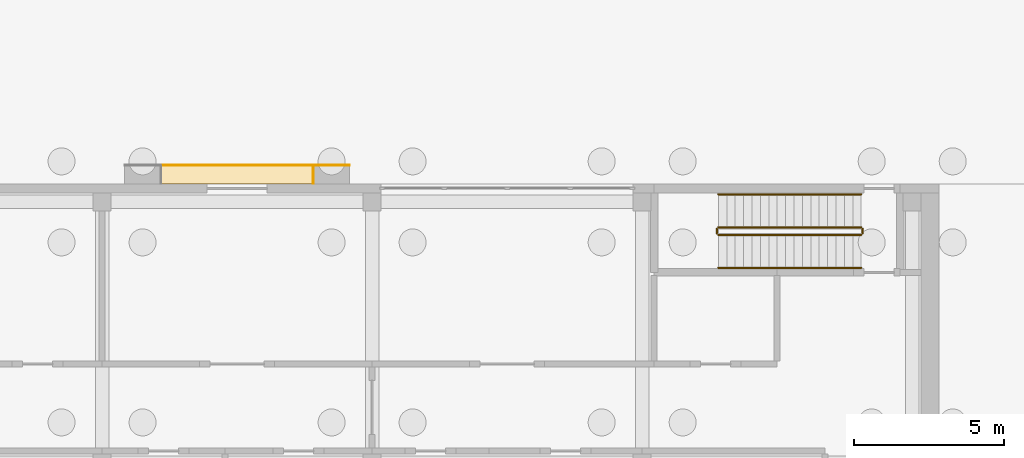
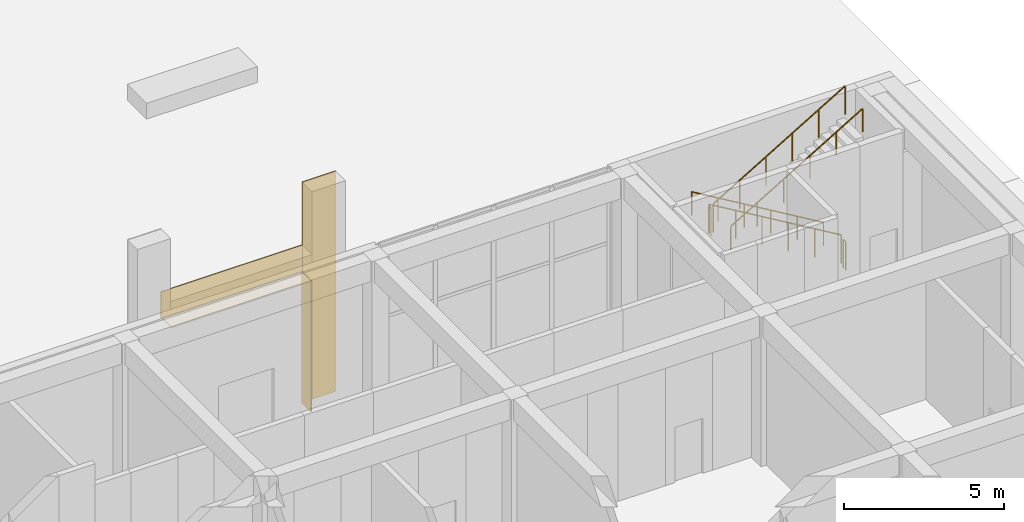
# One storey, part 28 of 31: 6 railings, 4 coverings.
"""IFC4 building model written with IfcOpenShell, lengths in metres."""

from ifc_helpers import new_model, si_unit, direction, frame, origin, origin_2d, place, context, subcontext, project, spatial, rectangle, circle, extrude, material, layer, layer_set, type_object, element, save


model = new_model("IFC4")

# Units and contexts
model_context = context("Model", 3, precision=1e-05, world=origin(), true_north=direction((0.0, 1.0)))
body_context = subcontext(model_context, "Body", "Model", "MODEL_VIEW")
ifc_project = project(units=[si_unit("LENGTHUNIT", "METRE"), si_unit("AREAUNIT", "SQUARE_METRE"), si_unit("VOLUMEUNIT", "CUBIC_METRE"), si_unit("PLANEANGLEUNIT", "RADIAN"), si_unit("MASSUNIT", "GRAM", prefix="KILO")], contexts=[model_context])

# Site, building, storey
site_placement = place(None, origin())
site = spatial("IfcSite", under=ifc_project, at=site_placement, CompositionType="ELEMENT")
building_placement = place(site_placement, origin())
building = spatial("IfcBuilding", under=site, at=building_placement, Name="Girih Gate Residences", CompositionType="ELEMENT")
storey_placement = place(building_placement, origin())
storey = spatial("IfcBuildingStorey", under=building, at=storey_placement, Name="L00", CompositionType="ELEMENT", Elevation=0.0)

# Coverings
ifc_material_1 = material(Name="Glazed ceramic tile")
ifc_layer = layer(ifc_material_1, 0.030029296875)
ifc_layer_set = layer_set([ifc_layer], Name="HC Glazed tile lining")
covering_type = type_object("IfcCoveringType", Name="HC Glazed tile lining", PredefinedType="CLADDING", material=ifc_layer_set)
covering_1_placement = place(storey_placement, frame((70.10009765625, 45.614990234375, 0.0), z_axis=(0.0, 0.0, 1.0), x_axis=(1.0, 0.0, 0.0)))
element("IfcCovering", 1, at=covering_1_placement, inside=storey, type_object=covering_type, Name="Entrance portal glazed tile lining jamb east front", PredefinedType="CLADDING", context=body_context, shape_type="SweptSolid", body=[
    extrude(rectangle(XDim=1.199951171875, YDim=0.030029296875, at=origin_2d()), origin(), (0.0, 0.0, 1.0), 8.39990234375),
])
covering_2_placement = place(storey_placement, frame((69.485107421875, 45.300048828125, 0.0), z_axis=(0.0, 0.0, 1.0), x_axis=(1.0, 0.0, 0.0)))
element("IfcCovering", 2, at=covering_2_placement, inside=storey, type_object=covering_type, Name="Entrance portal glazed tile lining reveal east", PredefinedType="CLADDING", context=body_context, shape_type="SweptSolid", body=[
    extrude(rectangle(XDim=0.030029296875, YDim=0.60009765625, at=origin_2d()), origin(), (0.0, 0.0, 1.0), 5.0),
])
covering_3_placement = place(storey_placement, frame((66.949951171875, 45.300048828125, 4.97021484375), z_axis=(0.0, 0.0, 1.0), x_axis=(1.0, 0.0, 0.0)))
element("IfcCovering", 3, at=covering_3_placement, inside=storey, type_object=covering_type, Name="Entrance portal glazed tile lining soffit", PredefinedType="CLADDING", context=body_context, shape_type="SweptSolid", body=[
    extrude(rectangle(XDim=5.0400390625, YDim=0.60009765625, at=origin_2d()), origin(), (0.0, 0.0, 1.0), 0.030029296875),
])
covering_4_placement = place(storey_placement, frame((66.949951171875, 45.614990234375, 5.0), z_axis=(0.0, 0.0, 1.0), x_axis=(1.0, 0.0, 0.0)))
element("IfcCovering", 4, at=covering_4_placement, inside=storey, type_object=covering_type, Name="Entrance portal glazed tile lining lintel front", PredefinedType="CLADDING", context=body_context, shape_type="SweptSolid", body=[
    extrude(rectangle(XDim=5.10009765625, YDim=0.030029296875, at=origin_2d()), origin(), (0.0, 0.0, 1.0), 1.0),
])

# Railings
ifc_material_2 = material(Name="Stainless steel railing", Category="steel")
railing_type_1 = type_object("IfcRailingType", Name="HC Guard 1100", PredefinedType="GUARDRAIL", material=ifc_material_2)
railing_1_placement = place(storey_placement, frame((87.75, 43.550048828125, 0.166748046875)))
element("IfcRailing", 5, at=railing_1_placement, inside=storey, type_object=railing_type_1, Name="L00 HC-STB stair guard 1", PredefinedType="GUARDRAIL", context=body_context, shape_type="SweptSolid", body=[
    extrude(circle(Radius=0.02392578125, at=origin_2d()), frame((0.0, 0.0, 1.076171875), z_axis=(-0.859299802514, 0.0, 0.511472237174), x_axis=(0.0, -1.0, 0.0)), (0.0, 0.0, 1.0), 5.539306640625),
    extrude(circle(Radius=0.02099609375, at=origin_2d()), origin(), (0.0, 0.0, 1.0), 1.052001953125),
    extrude(circle(Radius=0.02099609375, at=origin_2d()), frame((-0.951904296875, 0.0, 0.566650390625)), (0.0, 0.0, 1.0), 1.052001953125),
    extrude(circle(Radius=0.02099609375, at=origin_2d()), frame((-1.904052734375, 0.0, 1.13330078125)), (0.0, 0.0, 1.0), 1.052001953125),
    extrude(circle(Radius=0.02099609375, at=origin_2d()), frame((-2.85595703125, 0.0, 1.699951171875)), (0.0, 0.0, 1.0), 1.052001953125),
    extrude(circle(Radius=0.02099609375, at=origin_2d()), frame((-3.80810546875, 0.0, 2.2666015625)), (0.0, 0.0, 1.0), 1.052001953125),
    extrude(circle(Radius=0.02099609375, at=origin_2d()), frame((-4.760009765625, 0.0, 2.833251953125)), (0.0, 0.0, 1.0), 1.052001953125),
])
railing_2_placement = place(storey_placement, frame((82.93994140625, 43.5, 3.0)))
element("IfcRailing", 6, at=railing_2_placement, inside=storey, type_object=railing_type_1, Name="L00 HC-STB stair guard 2", PredefinedType="GUARDRAIL", context=body_context, shape_type="SweptSolid", body=[
    extrude(circle(Radius=0.02392578125, at=origin_2d()), frame((0.0, 0.0, 1.076171875), z_axis=(0.0, -1.0, 0.0), x_axis=(1.0, 0.0, 0.0)), (0.0, 0.0, 1.0), 0.14990234375),
    extrude(circle(Radius=0.02099609375, at=origin_2d()), origin(), (0.0, 0.0, 1.0), 1.052001953125),
    extrude(circle(Radius=0.02099609375, at=origin_2d()), frame((0.0, -0.14990234375, 0.0)), (0.0, 0.0, 1.0), 1.052001953125),
])
railing_3_placement = place(storey_placement, frame((82.989990234375, 43.300048828125, 3.166748046875)))
element("IfcRailing", 7, at=railing_3_placement, inside=storey, type_object=railing_type_1, Name="L00 HC-STB stair guard 3", PredefinedType="GUARDRAIL", context=body_context, shape_type="SweptSolid", body=[
    extrude(circle(Radius=0.02392578125, at=origin_2d()), frame((0.0, 0.0, 1.076171875), z_axis=(0.859299802514, 0.0, 0.511472237174), x_axis=(0.0, 1.0, 0.0)), (0.0, 0.0, 1.0), 5.539306640625),
    extrude(circle(Radius=0.02099609375, at=origin_2d()), origin(), (0.0, 0.0, 1.0), 1.052001953125),
    extrude(circle(Radius=0.02099609375, at=origin_2d()), frame((0.951904296875, 0.0, 0.566650390625)), (0.0, 0.0, 1.0), 1.052001953125),
    extrude(circle(Radius=0.02099609375, at=origin_2d()), frame((1.904052734375, 0.0, 1.13330078125)), (0.0, 0.0, 1.0), 1.052001953125),
    extrude(circle(Radius=0.02099609375, at=origin_2d()), frame((2.85595703125, 0.0, 1.699951171875)), (0.0, 0.0, 1.0), 1.052001953125),
    extrude(circle(Radius=0.02099609375, at=origin_2d()), frame((3.80810546875, 0.0, 2.2666015625)), (0.0, 0.0, 1.0), 1.052001953125),
    extrude(circle(Radius=0.02099609375, at=origin_2d()), frame((4.760009765625, 0.0, 2.833251953125)), (0.0, 0.0, 1.0), 1.052001953125),
])
railing_4_placement = place(storey_placement, frame((87.800048828125, 43.5, 0.0)))
element("IfcRailing", 8, at=railing_4_placement, inside=storey, type_object=railing_type_1, Name="L00 HC-STB stair guard 4", PredefinedType="GUARDRAIL", context=body_context, shape_type="SweptSolid", body=[
    extrude(circle(Radius=0.02392578125, at=origin_2d()), frame((0.0, 0.0, 1.076171875), z_axis=(0.0, -1.0, 0.0), x_axis=(1.0, 0.0, 0.0)), (0.0, 0.0, 1.0), 0.14990234375),
    extrude(circle(Radius=0.02099609375, at=origin_2d()), origin(), (0.0, 0.0, 1.0), 1.052001953125),
    extrude(circle(Radius=0.02099609375, at=origin_2d()), frame((0.0, -0.14990234375, 0.0)), (0.0, 0.0, 1.0), 1.052001953125),
])
railing_type_2 = type_object("IfcRailingType", Name="HC Handrail 900", PredefinedType="HANDRAIL", material=ifc_material_2)
railing_5_placement = place(storey_placement, frame((87.75, 44.64990234375, 0.166748046875)))
element("IfcRailing", 9, at=railing_5_placement, inside=storey, type_object=railing_type_2, Name="L00 HC-STB stair handrail 1", PredefinedType="HANDRAIL", context=body_context, shape_type="SweptSolid", body=[
    extrude(circle(Radius=0.02392578125, at=origin_2d()), frame((0.0, 0.0, 0.8857421875), z_axis=(-0.859299802514, 0.0, 0.511472237174), x_axis=(0.0, -1.0, 0.0)), (0.0, 0.0, 1.0), 5.539306640625),
    extrude(circle(Radius=0.02099609375, at=origin_2d()), origin(), (0.0, 0.0, 1.0), 0.86181640625),
    extrude(circle(Radius=0.02099609375, at=origin_2d()), frame((-0.951904296875, 0.0, 0.566650390625)), (0.0, 0.0, 1.0), 0.86181640625),
    extrude(circle(Radius=0.02099609375, at=origin_2d()), frame((-1.904052734375, 0.0, 1.13330078125)), (0.0, 0.0, 1.0), 0.86181640625),
    extrude(circle(Radius=0.02099609375, at=origin_2d()), frame((-2.85595703125, 0.0, 1.699951171875)), (0.0, 0.0, 1.0), 0.86181640625),
    extrude(circle(Radius=0.02099609375, at=origin_2d()), frame((-3.80810546875, 0.0, 2.2666015625)), (0.0, 0.0, 1.0), 0.86181640625),
    extrude(circle(Radius=0.02099609375, at=origin_2d()), frame((-4.760009765625, 0.0, 2.833251953125)), (0.0, 0.0, 1.0), 0.86181640625),
])
railing_6_placement = place(storey_placement, frame((82.989990234375, 42.199951171875, 3.166748046875)))
element("IfcRailing", 10, at=railing_6_placement, inside=storey, type_object=railing_type_2, Name="L00 HC-STB stair handrail 2", PredefinedType="HANDRAIL", context=body_context, shape_type="SweptSolid", body=[
    extrude(circle(Radius=0.02392578125, at=origin_2d()), frame((0.0, 0.0, 0.8857421875), z_axis=(0.859299802514, 0.0, 0.511472237174), x_axis=(0.0, 1.0, 0.0)), (0.0, 0.0, 1.0), 5.539306640625),
    extrude(circle(Radius=0.02099609375, at=origin_2d()), origin(), (0.0, 0.0, 1.0), 0.86181640625),
    extrude(circle(Radius=0.02099609375, at=origin_2d()), frame((0.951904296875, 0.0, 0.566650390625)), (0.0, 0.0, 1.0), 0.86181640625),
    extrude(circle(Radius=0.02099609375, at=origin_2d()), frame((1.904052734375, 0.0, 1.13330078125)), (0.0, 0.0, 1.0), 0.86181640625),
    extrude(circle(Radius=0.02099609375, at=origin_2d()), frame((2.85595703125, 0.0, 1.699951171875)), (0.0, 0.0, 1.0), 0.86181640625),
    extrude(circle(Radius=0.02099609375, at=origin_2d()), frame((3.80810546875, 0.0, 2.2666015625)), (0.0, 0.0, 1.0), 0.86181640625),
    extrude(circle(Radius=0.02099609375, at=origin_2d()), frame((4.760009765625, 0.0, 2.833251953125)), (0.0, 0.0, 1.0), 0.86181640625),
])

save(model, "model.ifc")
